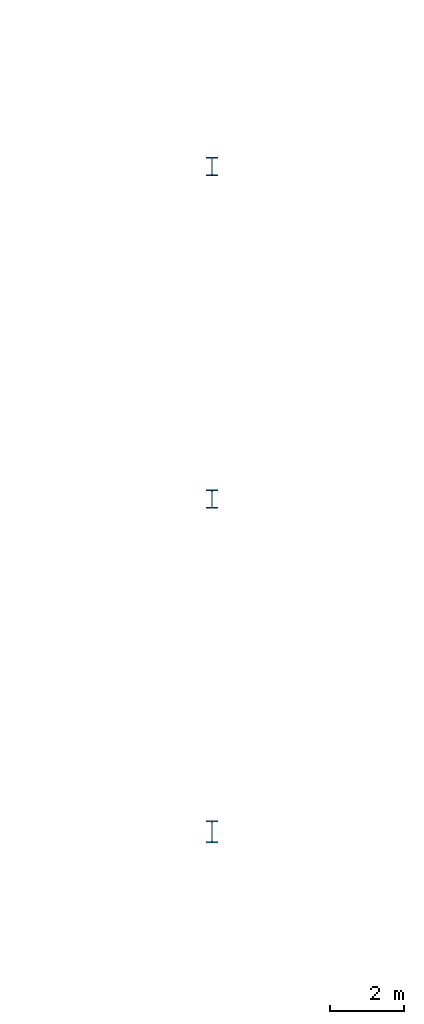
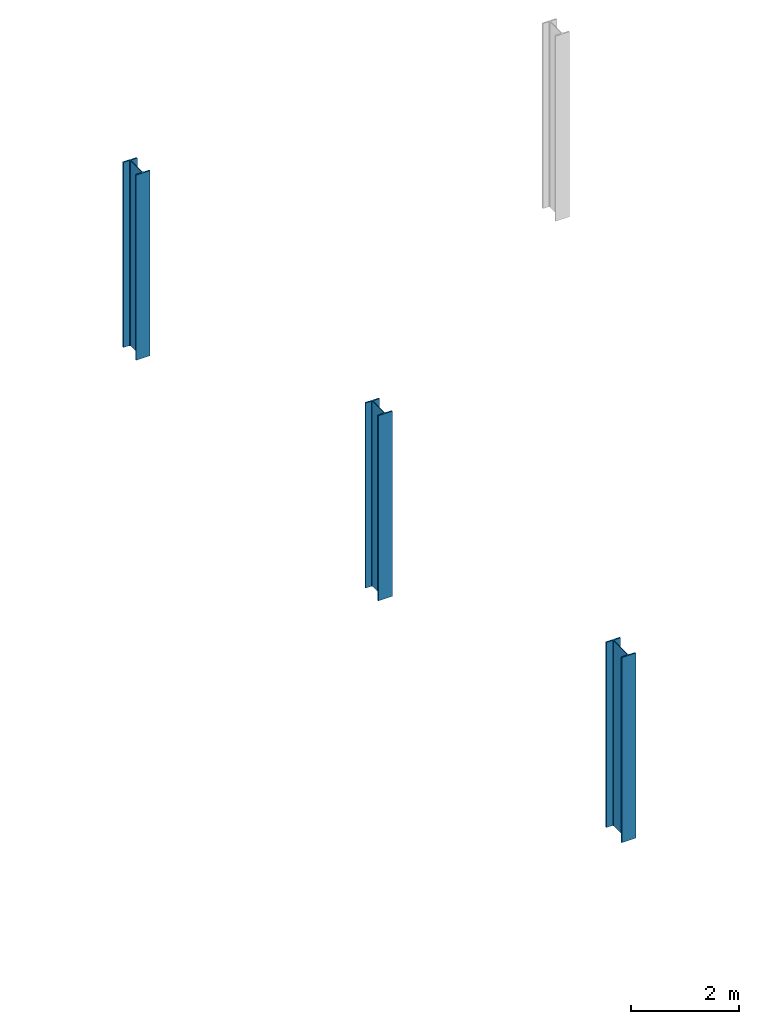
# One storey, part 1 of 103: 3 columns.
"""IFC4 building model written with IfcOpenShell, lengths in metres."""

from ifc_helpers import new_model, si_unit, direction, frame, origin, origin_2d, place, context, subcontext, project, spatial, i_section, extrude, material, material_profile, profile_set, type_object, element, save


model = new_model("IFC4")

# Units and contexts
model_context = context("Model", 3, precision=1e-05, world=origin(), true_north=direction((0.0, 1.0)))
body_context = subcontext(model_context, "Body", "Model", "MODEL_VIEW")
ifc_project = project(units=[si_unit("LENGTHUNIT", "METRE"), si_unit("AREAUNIT", "SQUARE_METRE"), si_unit("VOLUMEUNIT", "CUBIC_METRE"), si_unit("PLANEANGLEUNIT", "RADIAN"), si_unit("MASSUNIT", "GRAM", prefix="KILO")], contexts=[model_context])

# Site, building, storey
site_placement = place(None, origin())
site = spatial("IfcSite", under=ifc_project, at=site_placement, CompositionType="ELEMENT")
building_placement = place(site_placement, origin())
building = spatial("IfcBuilding", under=site, at=building_placement, Name="Deido Ridge Mobility Hub", CompositionType="ELEMENT")
storey_placement = place(building_placement, frame((0.0, 0.0, 12.60009765625)))
storey = spatial("IfcBuildingStorey", under=building, at=storey_placement, Name="L03", CompositionType="ELEMENT", Elevation=12.60009765625)

# Columns
ifc_material = material(Name="Steel S355J2 EN 10025-2", Category="steel")
ifc_material_profile_1 = material_profile(ifc_material, i_section(OverallWidth=0.300048828125, OverallDepth=0.5, WebThickness=0.014404296875, FlangeThickness=0.028076171875, FilletRadius=0.027099609375, at=origin_2d()), Name="HEB 500")
ifc_profile_set_1 = profile_set([ifc_material_profile_1], Name="Steel S355J2 EN 10025-2")
column_type_1 = type_object("IfcColumnType", Name="COL-HEB500", PredefinedType="COLUMN", material=ifc_profile_set_1)
for number, where, z_axis, x_axis, name in (
    (1, (54.0, 54.0, 0.0), (0.0, 0.0, 1.0), (1.0, 0.0, 0.0), "Structural column C5"),
    (2, (54.0, 45.0, 0.0), (0.0, 0.0, 1.0), (1.0, 0.0, 0.0), "Structural column C5"),
):
    element("IfcColumn", number, at=place(storey_placement, frame(where, z_axis=z_axis, x_axis=x_axis)), inside=storey, type_object=column_type_1, Name=name, PredefinedType="COLUMN", context=body_context, shape_type="SweptSolid", body=[
        extrude(i_section(OverallWidth=0.300048828125, OverallDepth=0.5, WebThickness=0.014404296875, FlangeThickness=0.028076171875, FilletRadius=0.027099609375, at=origin_2d()), origin(), (0.0, 0.0, 1.0), 4.199951171875),
    ])
ifc_material_profile_2 = material_profile(ifc_material, i_section(OverallWidth=0.300048828125, OverallDepth=0.60009765625, WebThickness=0.015380859375, FlangeThickness=0.030029296875, FilletRadius=0.027099609375, at=origin_2d()), Name="HEB 600")
ifc_profile_set_2 = profile_set([ifc_material_profile_2], Name="Steel S355J2 EN 10025-2")
column_type_2 = type_object("IfcColumnType", Name="COL-HEB600", PredefinedType="COLUMN", material=ifc_profile_set_2)
column_placement = place(storey_placement, frame((54.0, 36.0, 0.0), z_axis=(0.0, 0.0, 1.0), x_axis=(1.0, 0.0, 0.0)))
element("IfcColumn", 3, at=column_placement, inside=storey, type_object=column_type_2, Name="Structural column C4", PredefinedType="COLUMN", context=body_context, shape_type="SweptSolid", body=[
    extrude(i_section(OverallWidth=0.300048828125, OverallDepth=0.60009765625, WebThickness=0.015380859375, FlangeThickness=0.030029296875, FilletRadius=0.027099609375, at=origin_2d()), origin(), (0.0, 0.0, 1.0), 4.199951171875),
])

save(model, "model.ifc")
